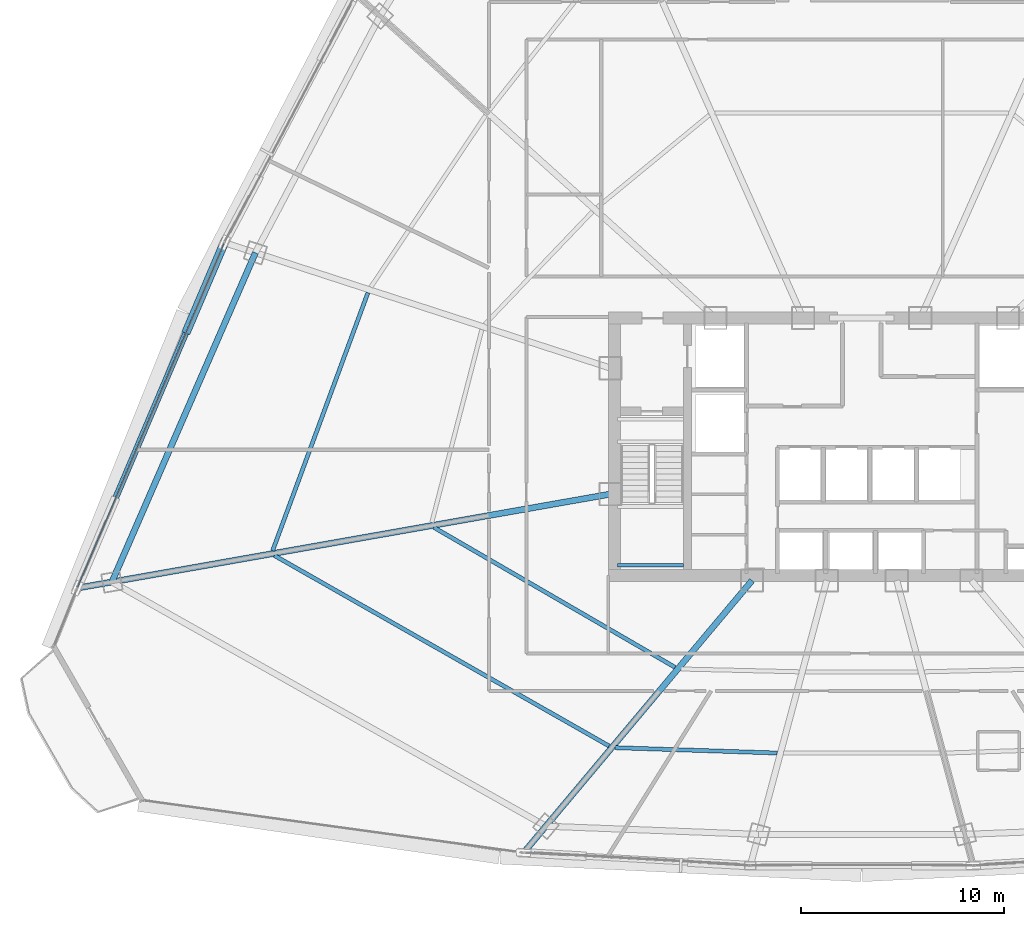
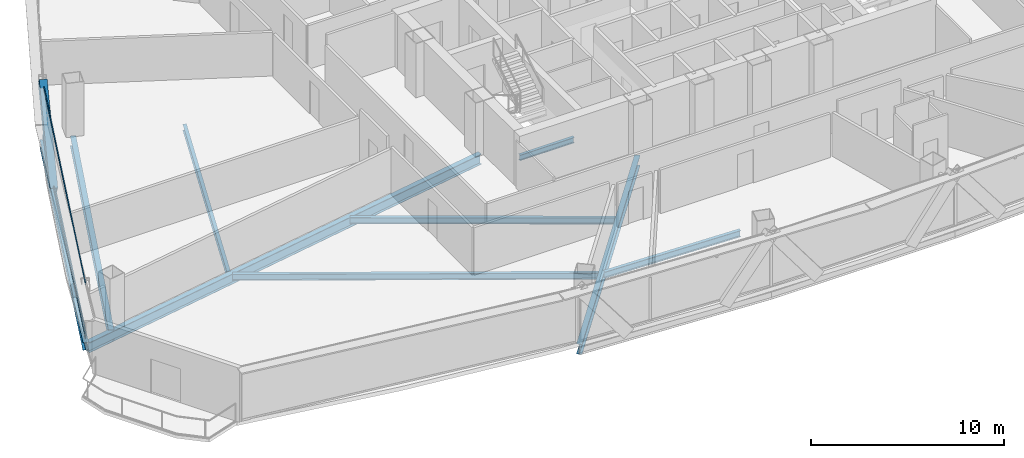
# One storey, part 7 of 39: 9 beams, 3 members, 1 element without a shape of its own.
"""IFC4 building model written with IfcOpenShell, lengths in metres."""

from ifc_helpers import new_model, si_unit, direction, frame, origin, origin_2d, place, context, subcontext, project, spatial, hollow_rectangle, i_section, extrude, source, transform, mapped, material, layer, layer_set, material_profile, profile_set, type_object, element, aggregate, save


model = new_model("IFC4")

# Units and contexts
model_context = context("Model", 3, precision=1e-05, world=origin(), true_north=direction((0.0, 1.0)))
body_context = subcontext(model_context, "Body", "Model", "MODEL_VIEW")
ifc_project = project(units=[si_unit("LENGTHUNIT", "METRE"), si_unit("AREAUNIT", "SQUARE_METRE"), si_unit("VOLUMEUNIT", "CUBIC_METRE"), si_unit("PLANEANGLEUNIT", "RADIAN"), si_unit("MASSUNIT", "GRAM", prefix="KILO"), si_unit("THERMODYNAMICTEMPERATUREUNIT", "KELVIN"), si_unit("POWERUNIT", "WATT")], contexts=[model_context])

# Site, building, storey
site_placement = place(None, origin())
site = spatial("IfcSite", under=ifc_project, at=site_placement, CompositionType="ELEMENT")
building_placement = place(site_placement, origin())
building = spatial("IfcBuilding", under=site, at=building_placement, Name="Yunzhuo Pagoda Commons", CompositionType="ELEMENT")
storey_placement = place(building_placement, frame((0.0, 0.0, 140.8701171875)))
storey = spatial("IfcBuildingStorey", under=building, at=storey_placement, Name="L35", CompositionType="ELEMENT", Elevation=140.8701171875)

# Beams
ifc_material_1 = material(Name="Structural steel Q355B", Category="steel")
ifc_material_profile_1 = material_profile(ifc_material_1, i_section(OverallWidth=0.175048828125, OverallDepth=0.35009765625, WebThickness=0.007080078125, FlangeThickness=0.010986328125, at=origin_2d()), Name="Structural steel Q355B")
ifc_profile_set_1 = profile_set([ifc_material_profile_1], Name="Structural steel Q355B")
beam_type_1 = type_object("IfcBeamType", Name="B-JS2 Joist HN 350x175x7x11", PredefinedType="JOIST", material=ifc_profile_set_1)
shared_shape_1 = source(origin(), body_context, "Body", "SweptSolid", [
    extrude(i_section(OverallWidth=0.175048828125, OverallDepth=0.35009765625, WebThickness=0.007080078125, FlangeThickness=0.010986328125, at=origin_2d()), origin(), (0.0, 0.0, 1.0), 3.25),
])
beam_1_placement = place(storey_placement, frame((35.949951171875, 28.0, 1.46484375), z_axis=(1.0, 0.0, 0.0), x_axis=(0.0, 1.0, 0.0)))
element("IfcBeam", 1, at=beam_1_placement, inside=storey, type_object=beam_type_1, Name="L35 ST1 landing support beam 41A", PredefinedType="JOIST", context=body_context, shape_type="MappedRepresentation", body=[
    mapped(shared_shape_1, transform((0.0, 0.0, 0.0), scale=1.0)),
])
ifc_material_profile_2 = material_profile(ifc_material_1, i_section(OverallWidth=0.199951171875, OverallDepth=0.39990234375, WebThickness=0.008056640625, FlangeThickness=0.012939453125, at=origin_2d()), Name="Structural steel Q355B")
ifc_profile_set_2 = profile_set([ifc_material_profile_2], Name="Structural steel Q355B")
beam_type_2 = type_object("IfcBeamType", Name="B-JS1 Joist HN 400x200x8x13", PredefinedType="JOIST", material=ifc_profile_set_2)
shared_shape_2 = source(origin(), body_context, "Body", "SweptSolid", [
    extrude(i_section(OverallWidth=0.199951171875, OverallDepth=0.39990234375, WebThickness=0.008056640625, FlangeThickness=0.012939453125, at=origin_2d()), origin(), (0.0, 0.0, 1.0), 8.00537109375),
])
beam_2_placement = place(storey_placement, frame((35.8291015625, 19.00048828125, -0.460205078125), z_axis=(0.999453403952, -0.033058937199, 0.0), x_axis=(0.033058937199, 0.999453403952, 0.0)))
element("IfcBeam", 2, at=beam_2_placement, inside=storey, type_object=beam_type_2, Name="L35 composite ring joist 2.1", PredefinedType="JOIST", context=body_context, shape_type="MappedRepresentation", body=[
    mapped(shared_shape_2, transform((0.0, 0.0, 0.0), scale=1.0)),
])
shared_shape_3 = source(origin(), body_context, "Body", "SweptSolid", [
    extrude(i_section(OverallWidth=0.199951171875, OverallDepth=0.39990234375, WebThickness=0.008056640625, FlangeThickness=0.012939453125, at=origin_2d()), origin(), (0.0, 0.0, 1.0), 13.76416015625),
])
beam_3_placement = place(storey_placement, frame((26.882568359375, 29.87255859375, -0.460205078125), z_axis=(0.864967288101, -0.501828248025, 0.0), x_axis=(0.501828248025, 0.864967288101, 0.0)))
element("IfcBeam", 3, at=beam_3_placement, inside=storey, type_object=beam_type_2, Name="L35 composite ring joist 1.12", PredefinedType="JOIST", context=body_context, shape_type="MappedRepresentation", body=[
    mapped(shared_shape_3, transform((0.0, 0.0, 0.0), scale=1.0)),
])
shared_shape_4 = source(origin(), body_context, "Body", "SweptSolid", [
    extrude(i_section(OverallWidth=0.199951171875, OverallDepth=0.39990234375, WebThickness=0.008056640625, FlangeThickness=0.012939453125, at=origin_2d()), origin(), (0.0, 0.0, 1.0), 19.007568359375),
])
beam_4_placement = place(storey_placement, frame((19.01220703125, 28.485595703125, -0.460205078125), z_axis=(0.869119947472, -0.494601371718, 0.0), x_axis=(0.494601371718, 0.869119947472, 0.0)))
element("IfcBeam", 4, at=beam_4_placement, inside=storey, type_object=beam_type_2, Name="L35 composite ring joist 2.12", PredefinedType="JOIST", context=body_context, shape_type="MappedRepresentation", body=[
    mapped(shared_shape_4, transform((0.0, 0.0, 0.0), scale=1.0)),
])
ifc_material_profile_3 = material_profile(ifc_material_1, i_section(OverallWidth=0.300048828125, OverallDepth=0.64990234375, WebThickness=0.012939453125, FlangeThickness=0.02197265625, at=origin_2d()), Name="Structural steel Q355B")
ifc_profile_set_3 = profile_set([ifc_material_profile_3], Name="Structural steel Q355B")
beam_type_3 = type_object("IfcBeamType", Name="B-RG2 Beam HN 650x300x13x22", PredefinedType="BEAM", material=ifc_profile_set_3)
shared_shape_5 = source(origin(), body_context, "Body", "SweptSolid", [
    extrude(i_section(OverallWidth=0.300048828125, OverallDepth=0.64990234375, WebThickness=0.012939453125, FlangeThickness=0.02197265625, at=origin_2d()), origin(), (0.0, 0.0, 1.0), 17.72021484375),
])
beam_5_placement = place(storey_placement, frame((18.084716796875, 43.420166015625, -0.585205078125), z_axis=(-0.399643307961, -0.916670729544, 0.0), x_axis=(0.916670729544, -0.399643307961, 0.0)))
element("IfcBeam", 5, at=beam_5_placement, inside=storey, type_object=beam_type_3, Name="L35 column-ring beam 11", PredefinedType="BEAM", context=body_context, shape_type="MappedRepresentation", body=[
    mapped(shared_shape_5, transform((0.0, 0.0, 0.0), scale=1.0)),
])
shared_shape_6 = source(origin(), body_context, "Body", "SweptSolid", [
    extrude(i_section(OverallWidth=0.199951171875, OverallDepth=0.39990234375, WebThickness=0.008056640625, FlangeThickness=0.012939453125, at=origin_2d()), origin(), (0.0, 0.0, 1.0), 13.577880859375),
])
beam_6_placement = place(storey_placement, frame((23.634765625, 41.44970703125, -0.460205078125), z_axis=(-0.3465634723, -0.938026523968, 0.0), x_axis=(0.938026523968, -0.3465634723, 0.0)))
element("IfcBeam", 6, at=beam_6_placement, inside=storey, type_object=beam_type_2, Name="L35 composite ring joist 2.11", PredefinedType="JOIST", context=body_context, shape_type="MappedRepresentation", body=[
    mapped(shared_shape_6, transform((0.0, 0.0, 0.0), scale=1.0)),
])
shared_shape_7 = source(origin(), body_context, "Body", "SweptSolid", [
    extrude(i_section(OverallWidth=0.300048828125, OverallDepth=0.64990234375, WebThickness=0.012939453125, FlangeThickness=0.02197265625, at=origin_2d()), origin(), (0.0, 0.0, 1.0), 17.38330078125),
])
beam_7_placement = place(storey_placement, frame((31.414306640625, 13.93359375, -0.585205078125), z_axis=(0.642780601859, 0.766050323329, 0.0), x_axis=(-0.766050323329, 0.642780601859, 0.0)))
element("IfcBeam", 7, at=beam_7_placement, inside=storey, type_object=beam_type_3, Name="L35 radial floor girder F1C1", PredefinedType="BEAM", context=body_context, shape_type="MappedRepresentation", body=[
    mapped(shared_shape_7, transform((0.0, 0.0, 0.0), scale=1.0)),
])
shared_shape_8 = source(origin(), body_context, "Body", "SweptSolid", [
    extrude(i_section(OverallWidth=0.300048828125, OverallDepth=0.64990234375, WebThickness=0.012939453125, FlangeThickness=0.02197265625, at=origin_2d()), origin(), (0.0, 0.0, 1.0), 26.559814453125),
])
beam_8_placement = place(storey_placement, frame((9.44384765625, 26.901611328125, -0.585205078125), z_axis=(0.984809273686, 0.173639553277, 0.0), x_axis=(-0.173639553277, 0.984809273686, 0.0)))
element("IfcBeam", 8, at=beam_8_placement, inside=storey, type_object=beam_type_3, Name="L35 radial floor girder F3C4", PredefinedType="BEAM", context=body_context, shape_type="MappedRepresentation", body=[
    mapped(shared_shape_8, transform((0.0, 0.0, 0.0), scale=1.0)),
])
ifc_material_profile_4 = material_profile(ifc_material_1, i_section(OverallWidth=0.300048828125, OverallDepth=0.488037109375, WebThickness=0.010986328125, FlangeThickness=0.01806640625, at=origin_2d()), Name="Structural steel Q355B")
ifc_profile_set_4 = profile_set([ifc_material_profile_4], Name="Structural steel Q355B")
beam_type_4 = type_object("IfcBeamType", Name="B-SP1 Beam HM 488x300x11x18", PredefinedType="BEAM", material=ifc_profile_set_4)
shared_shape_9 = source(origin(), body_context, "Body", "SweptSolid", [
    extrude(i_section(OverallWidth=0.300048828125, OverallDepth=0.488037109375, WebThickness=0.010986328125, FlangeThickness=0.01806640625, at=origin_2d()), origin(), (0.0, 0.0, 1.0), 18.525634765625),
])
beam_9_placement = place(storey_placement, frame((16.54833984375, 43.91943359375, -0.504150390625), z_axis=(-0.391745555192, -0.920073594876, 0.0), x_axis=(0.920073594876, -0.391745555192, 0.0)))
element("IfcBeam", 9, at=beam_9_placement, inside=storey, type_object=beam_type_4, Name="L35 facade edge spandrel beam F3.3", PredefinedType="BEAM", context=body_context, shape_type="MappedRepresentation", body=[
    mapped(shared_shape_9, transform((0.0, 0.0, 0.0), scale=1.0)),
])

# Member
ifc_material_2 = material(Name="Structural steel Q420B", Category="steel")
ifc_material_profile_5 = material_profile(ifc_material_2, hollow_rectangle(XDim=0.419921875, YDim=0.719970703125, WallThickness=0.028076171875, at=origin_2d()), Name="Structural steel Q420B")
ifc_profile_set_5 = profile_set([ifc_material_profile_5], Name="Structural steel Q420B")
member_type_1 = type_object("IfcMemberType", Name="M-DL1 Brace BOX 720x420x28", PredefinedType="BRACE", material=ifc_profile_set_5)
shared_shape_10 = source(origin(), body_context, "Body", "SweptSolid", [
    extrude(hollow_rectangle(XDim=0.419921875, YDim=0.719970703125, WallThickness=0.028076171875, at=origin_2d()), origin(), (0.0, 0.0, 1.0), 5.91552734375),
])
member_1_placement = place(storey_placement, frame((14.73388671875, 39.658203125, -0.260009765625), z_axis=(0.306732639421, 0.720359457542, 0.622091102528), x_axis=(-0.920064094689, 0.391767867064, 0.0)))
element("IfcMember", 10, at=member_1_placement, inside=storey, type_object=member_type_1, Name="L35 facade diamond brace F3.3L", PredefinedType="BRACE", context=body_context, shape_type="MappedRepresentation", body=[
    mapped(shared_shape_10, transform((0.0, 0.0, 0.0), scale=1.0)),
])

# Curtain wall, members
ifc_material_3 = material(Name="Anodized aluminium 6063-T6", Category="aluminium")
ifc_layer = layer(ifc_material_3, 0.14990234375)
ifc_layer_set = layer_set([ifc_layer], Name="Anodized aluminium 6063-T6")
curtain_wall_type = type_object("IfcCurtainWallType", Name="CW-MID Mid-Zone Ribbon Curtain Wall", PredefinedType="NOTDEFINED", material=ifc_layer_set)
curtain_wall_placement = place(storey_placement, origin())
curtain_wall = element("IfcCurtainWall", 11, at=curtain_wall_placement, inside=storey, type_object=curtain_wall_type, Name="L35 curtain wall CW-L35-F3B4", PredefinedType="NOTDEFINED")
ifc_material_profile_6 = material_profile(ifc_material_3, hollow_rectangle(XDim=0.054931640625, YDim=0.1298828125, WallThickness=0.00341796875, at=origin_2d()), Name="Anodized aluminium 6063-T6")
ifc_profile_set_6 = profile_set([ifc_material_profile_6], Name="Anodized aluminium 6063-T6")
member_type_2 = type_object("IfcMemberType", Name="CW-MID-T Transom RHS 130x55x3.5", PredefinedType="USERDEFINED", material=ifc_profile_set_6)
shared_shape_11 = source(origin(), body_context, "Body", "SweptSolid", [
    extrude(hollow_rectangle(XDim=0.054931640625, YDim=0.1298828125, WallThickness=0.00341796875, at=origin_2d()), origin(), (0.0, 0.0, 1.0), 18.4052734375),
])
member_2_placement = place(storey_placement, frame((16.52490234375, 43.864013671875, 0.02734375), z_axis=(-0.391760180447, -0.920067367651, 0.0), x_axis=(0.920067367651, -0.391760180447, 0.0)))
member_2 = element("IfcMember", 12, at=member_2_placement, type_object=member_type_2, Name="CW transom 1.1", ObjectType="TRANSOM", PredefinedType="USERDEFINED", context=body_context, shape_type="MappedRepresentation", body=[
    mapped(shared_shape_11, transform((0.0, 0.0, 0.0), scale=1.0)),
])
member_3_placement = place(storey_placement, frame((16.52490234375, 43.864013671875, 3.392333984375), z_axis=(-0.391760180447, -0.920067367651, 0.0), x_axis=(0.920067367651, -0.391760180447, 0.0)))
member_3 = element("IfcMember", 13, at=member_3_placement, type_object=member_type_2, Name="CW transom 1.2", ObjectType="TRANSOM", PredefinedType="USERDEFINED", context=body_context, shape_type="MappedRepresentation", body=[
    mapped(shared_shape_11, transform((0.0, 0.0, 0.0), scale=1.0)),
])
aggregate(curtain_wall, [member_2, member_3])

save(model, "model.ifc")
